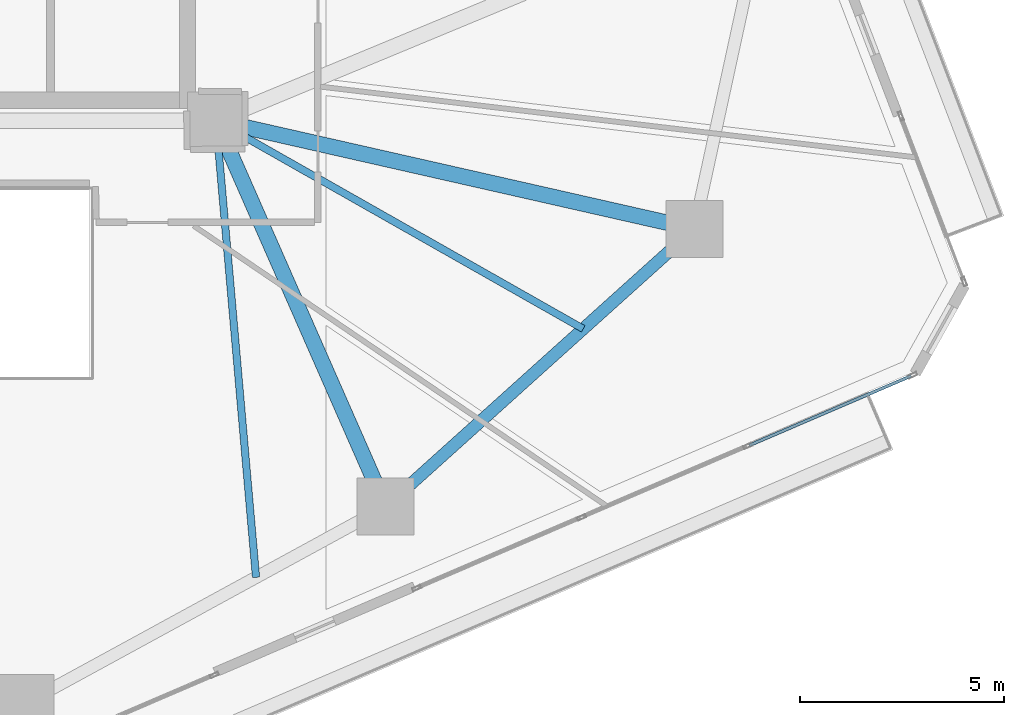
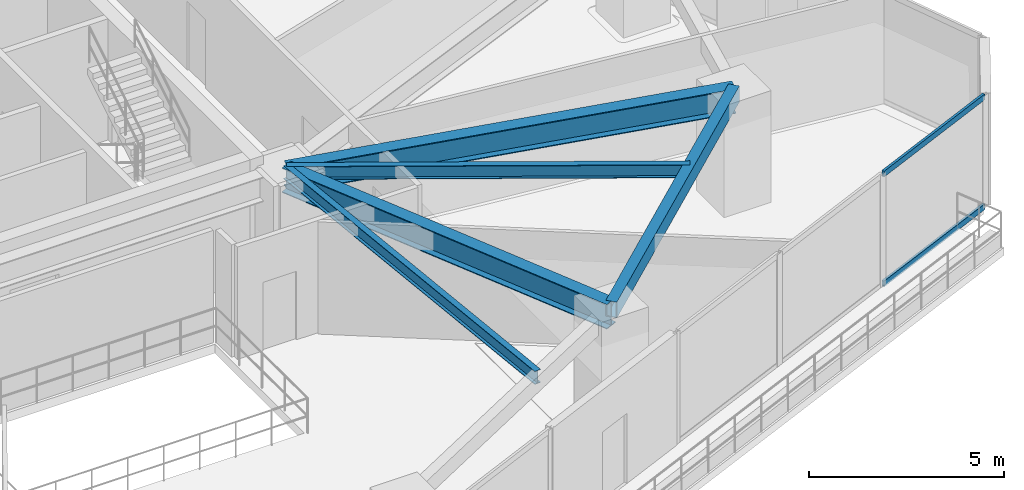
# One storey, part 9 of 23: 5 beams, 2 members, 1 element without a shape of its own.
"""IFC4 building model written with IfcOpenShell, lengths in metres."""

import ifcopenshell
import ifcopenshell.guid

model = None  # the IFC model being written
_history = None  # IfcOwnerHistory: only IFC2X3 demands one
_inside = {}  # id of a spatial element -> (the spatial element, [elements in it])
_under = {}  # id of a project, library or spatial element -> (it, [spatial elements below it])
_declared = {}  # id of a project -> (the project, [libraries it declares])
_typed = {}  # id of a type object -> (the type object, [elements of that type])
_made_of = {}  # id of a material, layer set ... -> (it, [elements and type objects made of it])


def new_model(schema):
    """Start an empty IFC model of exactly this schema.

    Asked for "IFC4X3", IfcOpenShell would pick the latest addendum, in which some entities
    have other attributes; the version numbers below select the first issue.
    IFC2X3 requires an IfcOwnerHistory on every rooted entity: one is made here for all.
    """
    global model, _history
    if schema == "IFC4X3":
        model = ifcopenshell.file(schema_version=(4, 3, 0, 0))
    else:
        model = ifcopenshell.file(schema=schema)
    _inside.clear()
    _under.clear()
    _declared.clear()
    _typed.clear()
    _made_of.clear()
    _history = None
    if model.schema == "IFC2X3":
        org = make("IfcOrganization", Name="unknown")
        user = make(
            "IfcPersonAndOrganization",
            ThePerson=make("IfcPerson", FamilyName="unknown"),
            TheOrganization=org,
        )
        app = make(
            "IfcApplication",
            ApplicationDeveloper=org,
            Version="unknown",
            ApplicationFullName="unknown",
            ApplicationIdentifier="unknown",
        )
        _history = make(
            "IfcOwnerHistory",
            OwningUser=user,
            OwningApplication=app,
            ChangeAction="ADDED",
            CreationDate=0,
        )
    return model


def make(cls, **values):
    """One entity of the class cls with the attributes given. An attribute that is None is left unset."""
    return model.create_entity(
        cls, **{name: value for name, value in values.items() if value is not None}
    )


def rooted(cls, **values):
    """An entity with a GlobalId (a new one), such as an element, a storey or a relation."""
    return make(cls, GlobalId=ifcopenshell.guid.new(), OwnerHistory=_history, **values)


def si_unit(unit_type, name, prefix=None):
    """IfcSIUnit, for example si_unit("LENGTHUNIT", "METRE", prefix="MILLI")."""
    return make("IfcSIUnit", UnitType=unit_type, Prefix=prefix, Name=name)


def assignment(units):
    """IfcUnitAssignment: the units of a project."""
    return None if units is None else make("IfcUnitAssignment", Units=units)


def point(xyz):
    """IfcCartesianPoint."""
    return None if xyz is None else make("IfcCartesianPoint", Coordinates=xyz)


def direction(xyz):
    """IfcDirection."""
    return None if xyz is None else make("IfcDirection", DirectionRatios=xyz)


def frame(location, z_axis=None, x_axis=None):
    """IfcAxis2Placement3D, a coordinate frame: its origin and axes. An axis left out is left unset."""
    return make(
        "IfcAxis2Placement3D",
        Location=point(location),
        Axis=direction(z_axis),
        RefDirection=direction(x_axis),
    )


def frame_2d(location, x_axis=None):
    """IfcAxis2Placement2D, a coordinate frame in the plane: its origin and x axis."""
    return make(
        "IfcAxis2Placement2D", Location=point(location), RefDirection=direction(x_axis)
    )


def origin():
    """The frame at (0, 0, 0) with its axes left unset."""
    return frame((0.0, 0.0, 0.0))


def origin_2d():
    """The frame at (0, 0) in the plane with its x axis left unset."""
    return frame_2d((0.0, 0.0))


def place(relative_to, where):
    """IfcLocalPlacement: puts the frame where relative to a parent placement (None: the world)."""
    return make(
        "IfcLocalPlacement", PlacementRelTo=relative_to, RelativePlacement=where
    )


def context(
    kind, dimensions, precision=None, world=None, true_north=None, identifier=None
):
    """IfcGeometricRepresentationContext, for example the 3D "Model" context."""
    return make(
        "IfcGeometricRepresentationContext",
        ContextIdentifier=identifier,
        ContextType=kind,
        CoordinateSpaceDimension=dimensions,
        Precision=precision,
        WorldCoordinateSystem=world,
        TrueNorth=true_north,
    )


def subcontext(parent, identifier, kind, view, scale=None):
    """IfcGeometricRepresentationSubContext, for example "Body" below "Model"."""
    return make(
        "IfcGeometricRepresentationSubContext",
        ContextIdentifier=identifier,
        ContextType=kind,
        ParentContext=parent,
        TargetScale=scale,
        TargetView=view,
    )


def project(units=None, contexts=None):
    """IfcProject with its units and contexts."""
    return rooted(
        "IfcProject",
        Name="project",
        RepresentationContexts=contexts,
        UnitsInContext=assignment(units),
    )


def spatial(cls, under=None, at=None, **own):
    """A site, building, storey or space (cls), placed at a placement, below another one or the project."""
    s = rooted(cls, ObjectPlacement=at, **own)
    if under is not None:
        _under.setdefault(under.id(), (under, []))[1].append(s)
    return s


def profile(cls, at=None, kind="AREA", **sizes):
    """A parametric profile (cls). Its sizes go by their IFC names, for example OverallWidth=200.0."""
    return make(cls, ProfileType=kind, Position=at, **sizes)


def hollow_rectangle(**sizes):
    """IfcRectangleHollowProfileDef."""
    return profile("IfcRectangleHollowProfileDef", **sizes)


def i_section(**sizes):
    """IfcIShapeProfileDef."""
    return profile("IfcIShapeProfileDef", **sizes)


def extrude(swept, where, along, depth):
    """IfcExtrudedAreaSolid: the profile swept, set in the frame where, extruded along a direction by depth."""
    return make(
        "IfcExtrudedAreaSolid",
        SweptArea=swept,
        Position=where,
        ExtrudedDirection=direction(along),
        Depth=depth,
    )


def shape(context_of_items, identifier, shape_type, items):
    """IfcShapeRepresentation: the items that make up one representation, for example the "Body"."""
    return make(
        "IfcShapeRepresentation",
        ContextOfItems=context_of_items,
        RepresentationIdentifier=identifier,
        RepresentationType=shape_type,
        Items=items,
    )


def source(mapping_origin, context_of_items, identifier, shape_type, items):
    """IfcRepresentationMap: a shape defined once, which mapped items show again and again."""
    return make(
        "IfcRepresentationMap",
        MappingOrigin=mapping_origin,
        MappedRepresentation=shape(context_of_items, identifier, shape_type, items),
    )


def transform(
    local_origin,
    x_axis=None,
    y_axis=None,
    z_axis=None,
    scale=None,
    scale2=None,
    scale3=None,
    uniform=True,
):
    """IfcCartesianTransformationOperator3D, or its non-uniform kind. x_axis, y_axis, z_axis: its Axis1, 2, 3."""
    if uniform:
        return make(
            "IfcCartesianTransformationOperator3D",
            Axis1=direction(x_axis),
            Axis2=direction(y_axis),
            LocalOrigin=point(local_origin),
            Scale=scale,
            Axis3=direction(z_axis),
        )
    return make(
        "IfcCartesianTransformationOperator3DnonUniform",
        Axis1=direction(x_axis),
        Axis2=direction(y_axis),
        LocalOrigin=point(local_origin),
        Scale=scale,
        Axis3=direction(z_axis),
        Scale2=scale2,
        Scale3=scale3,
    )


def mapped(mapping_source, mapping_target):
    """IfcMappedItem: shows the shape of a source again, moved by a transform."""
    return make(
        "IfcMappedItem", MappingSource=mapping_source, MappingTarget=mapping_target
    )


def material(Name=None, Category=None):
    """IfcMaterial."""
    return make("IfcMaterial", Name=Name, Category=Category)


def layer(
    of_material, thickness, ventilated=None, Name=None, Category=None, Priority=None
):
    """IfcMaterialLayer: one layer of a wall or slab, of a material (None: an air gap)."""
    return make(
        "IfcMaterialLayer",
        Material=of_material,
        LayerThickness=thickness,
        IsVentilated=ventilated,
        Name=Name,
        Category=Category,
        Priority=Priority,
    )


def layer_set(layers, Name=None):
    """IfcMaterialLayerSet."""
    return make("IfcMaterialLayerSet", MaterialLayers=layers, LayerSetName=Name)


def material_profile(
    of_material, cross_section, Name=None, Category=None, Priority=None
):
    """IfcMaterialProfile: a cross section and its material."""
    return make(
        "IfcMaterialProfile",
        Name=Name,
        Material=of_material,
        Profile=cross_section,
        Priority=Priority,
        Category=Category,
    )


def profile_set(profiles, Name=None, composite=None):
    """IfcMaterialProfileSet."""
    return make(
        "IfcMaterialProfileSet",
        Name=Name,
        MaterialProfiles=profiles,
        CompositeProfile=composite,
    )


def made_of(thing, what):
    """Note that an element or type object is made of a material, layer set ...; save() writes the relation."""
    if what is not None:
        _made_of.setdefault(what.id(), (what, []))[1].append(thing)
    return thing


def type_object(cls, material=None, **own):
    """A type object (cls), such as IfcWallType, which elements share."""
    return made_of(rooted(cls, **own), material)


def type_shapes(of_type, sources):
    """Give a type object the sources (RepresentationMaps) that its elements show as mapped items."""
    of_type.RepresentationMaps = sources


def element(
    cls,
    number,
    at=None,
    inside=None,
    cuts=None,
    type_object=None,
    material=None,
    context=None,
    identifier="Body",
    shape_type=None,
    held_by="IfcProductDefinitionShape",
    body=None,
    shapes=None,
    **own,
):
    """One element of the class cls, such as IfcWall. Its Tag is "e" and its number.

    at: its placement. inside: the storey or other place that contains it. cuts: it is an
    opening in that element (IfcRelVoidsElement). A single representation is given by context,
    identifier, shape_type and body (its items); several are given by shapes. held_by: the class
    of the entity that holds the representations. save() writes the other relations.
    """
    e = rooted(cls, Tag="e%d" % number, ObjectPlacement=at, **own)
    if body is not None:
        shapes = [shape(context, identifier, shape_type, body)]
    if shapes is not None:
        e.Representation = make(held_by, Representations=shapes)
    if inside is not None:
        _inside.setdefault(inside.id(), (inside, []))[1].append(e)
    if cuts is not None:
        rooted(
            "IfcRelVoidsElement", RelatingBuildingElement=cuts, RelatedOpeningElement=e
        )
    if type_object is not None:
        _typed.setdefault(type_object.id(), (type_object, []))[1].append(e)
    return made_of(e, material)


def aggregate(whole, parts):
    """IfcRelAggregates: a whole, such as a stair, and the parts it consists of."""
    return rooted("IfcRelAggregates", RelatingObject=whole, RelatedObjects=parts)


def save(model, path):
    """Write the relations noted so far, then the file.

    IfcRelAggregates (storeys below a building ...), IfcRelContainedInSpatialStructure (elements
    in a storey), IfcRelDefinesByType, IfcRelAssociatesMaterial and IfcRelDeclares: one each for
    every whole, place, type object, material and project.
    """
    for whole, parts in _under.values():
        aggregate(whole, parts)
    for where, things in _inside.values():
        rooted(
            "IfcRelContainedInSpatialStructure",
            RelatedElements=things,
            RelatingStructure=where,
        )
    for kind, things in _typed.values():
        rooted("IfcRelDefinesByType", RelatedObjects=things, RelatingType=kind)
    for what, things in _made_of.values():
        rooted("IfcRelAssociatesMaterial", RelatedObjects=things, RelatingMaterial=what)
    for by, libraries in _declared.values():
        rooted("IfcRelDeclares", RelatingContext=by, RelatedDefinitions=libraries)
    model.write(path)


model = new_model("IFC4")

# Units and contexts
model_context = context("Model", 3, precision=1e-05, world=origin(), true_north=direction((0.0, 1.0)))
body_context = subcontext(model_context, "Body", "Model", "MODEL_VIEW")
ifc_project = project(units=[si_unit("LENGTHUNIT", "METRE"), si_unit("AREAUNIT", "SQUARE_METRE"), si_unit("VOLUMEUNIT", "CUBIC_METRE"), si_unit("PLANEANGLEUNIT", "RADIAN"), si_unit("MASSUNIT", "GRAM", prefix="KILO")], contexts=[model_context])

# Site, building, storey
site_placement = place(None, origin())
site = spatial("IfcSite", under=ifc_project, at=site_placement, CompositionType="ELEMENT")
building_placement = place(site_placement, origin())
building = spatial("IfcBuilding", under=site, at=building_placement, Name="Talar Marvaseh", CompositionType="ELEMENT")
storey_placement = place(building_placement, frame((0.0, 0.0, 27.800048828125)))
storey = spatial("IfcBuildingStorey", under=building, at=storey_placement, Name="L06", CompositionType="ELEMENT", Elevation=27.800048828125)

# Beams
ifc_material_1 = material(Name="Steel S355", Category="steel")
ifc_material_profile_1 = material_profile(ifc_material_1, hollow_rectangle(XDim=0.300048828125, YDim=0.5, WallThickness=0.02001953125, at=origin_2d()), Name="RHS500x300x20")
ifc_profile_set_1 = profile_set([ifc_material_profile_1], Name="Steel S355")
beam_type_1 = type_object("IfcBeamType", Name="Zone 1 Perimeter Spandrel Beam RHS500x300x20", PredefinedType="SPANDREL", material=ifc_profile_set_1)
beam_1_placement = place(storey_placement, frame((45.0439453125, 22.840087890625, 3.27001953125), z_axis=(-0.743257224494, -0.669005753516, 0.0), x_axis=(0.669005753516, -0.743257224494, 0.0)))
element("IfcBeam", 1, at=beam_1_placement, inside=storey, type_object=beam_type_1, Name="L06 Zone 1 Perimeter Spandrel Beam RHS500x300x20", PredefinedType="SPANDREL", context=body_context, shape_type="SweptSolid", body=[
    extrude(hollow_rectangle(XDim=0.300048828125, YDim=0.5, WallThickness=0.02001953125, at=origin_2d()), origin(), (0.0, 0.0, 1.0), 10.19287109375),
])
ifc_material_profile_2 = material_profile(ifc_material_1, i_section(OverallWidth=0.381103515625, OverallDepth=0.77294921875, WebThickness=0.0166015625, FlangeThickness=0.027099609375, at=origin_2d()), Name="W760x257")
ifc_profile_set_2 = profile_set([ifc_material_profile_2], Name="Steel S355")
beam_type_2 = type_object("IfcBeamType", Name="Zone 1 Radial Floor Girder W760x257", PredefinedType="BEAM", material=ifc_profile_set_2)
beam_2_placement = place(storey_placement, frame((45.0439453125, 22.840087890625, 3.133544921875), z_axis=(-0.975296900374, 0.220898067263, 0.0), x_axis=(-0.220898067263, -0.975296900374, 0.0)))
element("IfcBeam", 2, at=beam_2_placement, inside=storey, type_object=beam_type_2, Name="L06 Zone 1 Radial Floor Girder W760x257", PredefinedType="BEAM", context=body_context, shape_type="SweptSolid", body=[
    extrude(i_section(OverallWidth=0.381103515625, OverallDepth=0.77294921875, WebThickness=0.0166015625, FlangeThickness=0.027099609375, at=origin_2d()), origin(), (0.0, 0.0, 1.0), 12.041259765625),
])
beam_3_placement = place(storey_placement, frame((37.468017578125, 16.02099609375, 3.133544921875), z_axis=(-0.402512625991, 0.915414433969, 0.0), x_axis=(-0.915414433969, -0.402512625991, 0.0)))
element("IfcBeam", 3, at=beam_3_placement, inside=storey, type_object=beam_type_2, Name="L06 Zone 1 Radial Floor Girder W760x257", PredefinedType="BEAM", context=body_context, shape_type="SweptSolid", body=[
    extrude(i_section(OverallWidth=0.381103515625, OverallDepth=0.77294921875, WebThickness=0.0166015625, FlangeThickness=0.027099609375, at=origin_2d()), origin(), (0.0, 0.0, 1.0), 10.35498046875),
])
ifc_material_profile_3 = material_profile(ifc_material_1, i_section(OverallWidth=0.179931640625, OverallDepth=0.4130859375, WebThickness=0.009765625, FlangeThickness=0.01611328125, at=origin_2d()), Name="W410x75")
ifc_profile_set_3 = profile_set([ifc_material_profile_3], Name="Steel S355")
beam_type_3 = type_object("IfcBeamType", Name="Zone 1 Secondary Floor Joist W410x75", PredefinedType="JOIST", material=ifc_profile_set_3)
beam_4_placement = place(storey_placement, frame((42.316650390625, 20.38525390625, 3.3134765625), z_axis=(-0.869801202402, 0.493402339172, 0.0), x_axis=(-0.493402339172, -0.869801202402, 0.0)))
element("IfcBeam", 4, at=beam_4_placement, inside=storey, type_object=beam_type_3, Name="L06 Zone 1 Secondary Floor Joist W410x75", PredefinedType="JOIST", context=body_context, shape_type="SweptSolid", body=[
    extrude(i_section(OverallWidth=0.179931640625, OverallDepth=0.4130859375, WebThickness=0.009765625, FlangeThickness=0.01611328125, at=origin_2d()), origin(), (0.0, 0.0, 1.0), 10.3662109375),
])
beam_5_placement = place(storey_placement, frame((34.284423828125, 14.28369140625, 3.3134765625), z_axis=(-0.08742678295, 0.996170947992, 0.0), x_axis=(-0.996170947992, -0.08742678295, 0.0)))
element("IfcBeam", 5, at=beam_5_placement, inside=storey, type_object=beam_type_3, Name="L06 Zone 1 Secondary Floor Joist W410x75", PredefinedType="JOIST", context=body_context, shape_type="SweptSolid", body=[
    extrude(i_section(OverallWidth=0.179931640625, OverallDepth=0.4130859375, WebThickness=0.009765625, FlangeThickness=0.01611328125, at=origin_2d()), origin(), (0.0, 0.0, 1.0), 11.259521484375),
])

# Curtain wall, members
ifc_material_2 = material(Name="Architectural Aluminium", Category="aluminium")
ifc_layer = layer(ifc_material_2, 0.219970703125)
ifc_layer_set = layer_set([ifc_layer], Name="Architectural Aluminium")
curtain_wall_type = type_object("IfcCurtainWallType", Name="Unitised Low-E Museum Curtain Wall Z1", PredefinedType="NOTDEFINED", material=ifc_layer_set)
curtain_wall_placement = place(storey_placement, origin())
curtain_wall = element("IfcCurtainWall", 6, at=curtain_wall_placement, inside=storey, type_object=curtain_wall_type, Name="L06 Unitised Low-E Museum Curtain Wall Z1", PredefinedType="NOTDEFINED")
ifc_material_profile_4 = material_profile(ifc_material_2, hollow_rectangle(XDim=0.074951171875, YDim=0.179931640625, WallThickness=0.0048828125, at=origin_2d()), Name="RHS180x75x5")
ifc_profile_set_4 = profile_set([ifc_material_profile_4], Name="Architectural Aluminium")
member_type = type_object("IfcMemberType", Name="Unitised Curtain Wall Transom RHS180x75x5", PredefinedType="USERDEFINED", material=ifc_profile_set_4)
shared_shape = source(origin(), body_context, "Body", "SweptSolid", [
    extrude(hollow_rectangle(XDim=0.074951171875, YDim=0.179931640625, WallThickness=0.0048828125, at=origin_2d()), origin(), (0.0, 0.0, 1.0), 4.321533203125),
])
type_shapes(member_type, [shared_shape])
member_1_placement = place(storey_placement, frame((50.366455078125, 19.22998046875, 0.037353515625), z_axis=(-0.918852573899, -0.394600997767, 0.0), x_axis=(0.394600997767, -0.918852573899, 0.0)))
member_1 = element("IfcMember", 7, at=member_1_placement, type_object=member_type, Name="CW-Z1 transom 1.1", ObjectType="TRANSOM", PredefinedType="USERDEFINED", context=body_context, shape_type="MappedRepresentation", body=[
    mapped(shared_shape, transform((0.0, 0.0, 0.0), x_axis=(1.0, 0.0, 0.0), y_axis=(0.0, 1.0, 0.0), z_axis=(0.0, 0.0, 1.0), scale=1.0)),
])
member_2_placement = place(storey_placement, frame((50.366455078125, 19.22998046875, 3.482421875), z_axis=(-0.918852573899, -0.394600997767, 0.0), x_axis=(0.394600997767, -0.918852573899, 0.0)))
member_2 = element("IfcMember", 8, at=member_2_placement, type_object=member_type, Name="CW-Z1 transom 1.2", ObjectType="TRANSOM", PredefinedType="USERDEFINED", context=body_context, shape_type="MappedRepresentation", body=[
    mapped(shared_shape, transform((0.0, 0.0, 0.0), x_axis=(1.0, 0.0, 0.0), y_axis=(0.0, 1.0, 0.0), z_axis=(0.0, 0.0, 1.0), scale=1.0)),
])
aggregate(curtain_wall, [member_1, member_2])

save(model, "model.ifc")
